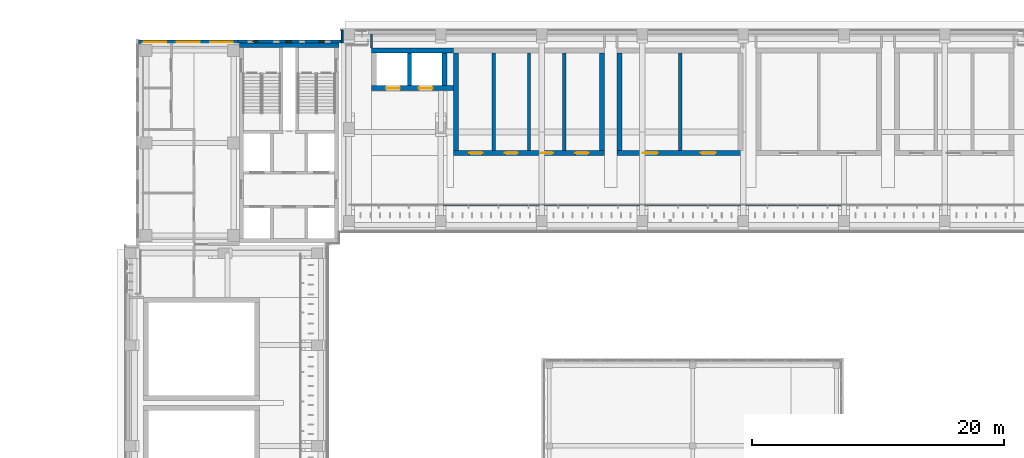
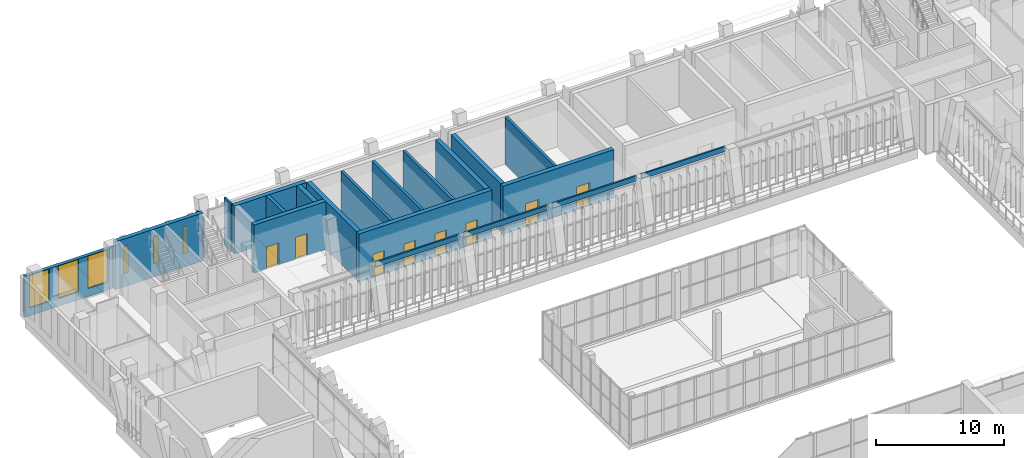
# One storey, part 66 of 92: 22 walls, 8 doors, 6 windows, 14 openings.
"""IFC4 building model written with IfcOpenShell, lengths in metres."""

from ifc_helpers import new_model, si_unit, direction, frame, frame_2d, origin, place, context, subcontext, project, spatial, rectangle, extrude, material, layer, layer_set, type_object, element, fill, save


model = new_model("IFC4")

# Units and contexts
model_context = context("Model", 3, precision=1e-05, world=origin(), true_north=direction((0.0, 1.0)))
body_context = subcontext(model_context, "Body", "Model", "MODEL_VIEW")
ifc_project = project(units=[si_unit("LENGTHUNIT", "METRE"), si_unit("AREAUNIT", "SQUARE_METRE"), si_unit("VOLUMEUNIT", "CUBIC_METRE"), si_unit("PLANEANGLEUNIT", "RADIAN"), si_unit("MASSUNIT", "GRAM", prefix="KILO")], contexts=[model_context])

# Site, building, storey
site_placement = place(None, origin())
site = spatial("IfcSite", under=ifc_project, at=site_placement, CompositionType="ELEMENT")
building_placement = place(site_placement, origin())
building = spatial("IfcBuilding", under=site, at=building_placement, Name="Lantern Court Media Centre", CompositionType="ELEMENT")
storey_placement = place(building_placement, frame((0.0, 0.0, 4.800048828125)))
storey = spatial("IfcBuildingStorey", under=building, at=storey_placement, Name="L01", CompositionType="ELEMENT", Elevation=4.800048828125)

# Walls
ifc_material_1 = material(Name="Acoustic gypsum board")
ifc_layer_1 = layer(ifc_material_1, 0.25)
ifc_layer_set_1 = layer_set([ifc_layer_1], Name="Acoustic gypsum board")
wall_type_1 = type_object("IfcWallType", Name="Acoustic partition 250", PredefinedType="PARTITIONING", material=ifc_layer_set_1)
for number, where, z_axis, x_axis, name in (
    (1, (36.199951171875, 103.455078125, 0.0), (0.0, 0.0, 1.0), (0.0, 1.0, 0.0), "L01 partition 010"),
    (2, (39.0, 103.455078125, 0.0), (0.0, 0.0, 1.0), (0.0, 1.0, 0.0), "L01 partition 011"),
    (3, (41.800048828125, 103.455078125, 0.0), (0.0, 0.0, 1.0), (0.0, 1.0, 0.0), "L01 partition 012"),
    (4, (51.0, 103.455078125, 0.0), (0.0, 0.0, 1.0), (0.0, 1.0, 0.0), "L01 partition 014"),
):
    element("IfcWall", number, at=place(storey_placement, frame(where, z_axis=z_axis, x_axis=x_axis)), inside=storey, type_object=wall_type_1, Name=name, PredefinedType="PARTITIONING", context=body_context, shape_type="SweptSolid", body=[
        extrude(rectangle(XDim=7.739990234375, YDim=0.25, at=frame_2d((3.8701171875, 0.0))), origin(), (0.0, 0.0, 1.0), 4.56005859375),
    ])
ifc_material_2 = material(Name="Insulated rendered blockwork", Category="masonry")
ifc_layer_2 = layer(ifc_material_2, 0.14990234375)
ifc_layer_set_2 = layer_set([ifc_layer_2], Name="Insulated rendered blockwork")
wall_type_2 = type_object("IfcWallType", Name="Head infill wall 150", PredefinedType="SOLIDWALL", material=ifc_layer_set_2)
for number, where, z_axis, x_axis, name in (
    (5, (32.199951171875, 99.14990234375, 4.099853515625), (0.0, 0.0, 1.0), (1.0, 0.0, 0.0), "Head infill wall N inner L01"),
    (6, (40.199951171875, 99.14990234375, 4.099853515625), (0.0, 0.0, 1.0), (1.0, 0.0, 0.0), "Head infill wall N inner L01"),
    (7, (48.199951171875, 99.14990234375, 4.099853515625), (0.0, 0.0, 1.0), (1.0, 0.0, 0.0), "Head infill wall N inner L01"),
    (8, (56.199951171875, 99.14990234375, 4.099853515625), (0.0, 0.0, 1.0), (1.0, 0.0, 0.0), "Head infill wall N inner L01"),
):
    element("IfcWall", number, at=place(storey_placement, frame(where, z_axis=z_axis, x_axis=x_axis)), inside=storey, type_object=wall_type_2, Name=name, PredefinedType="SOLIDWALL", context=body_context, shape_type="SweptSolid", body=[
        extrude(rectangle(XDim=7.60009765625, YDim=0.14990234375, at=frame_2d((3.800048828125, 0.0))), origin(), (0.0, 0.0, 1.0), 0.47998046875),
    ])

# Wall, openings, windows
ifc_material_3 = material(Name="Honed limestone cladding on blockwork", Category="masonry")
ifc_layer_3 = layer(ifc_material_3, 0.300048828125)
ifc_layer_set_3 = layer_set([ifc_layer_3], Name="Honed limestone cladding on blockwork")
wall_type_3 = type_object("IfcWallType", Name="Limestone block wall 300", PredefinedType="SOLIDWALL", material=ifc_layer_set_3)
wall_1_placement = place(storey_placement, frame((8.0, 112.070068359375, 0.0), z_axis=(0.0, 0.0, 1.0), x_axis=(1.0, 0.0, 0.0)))
wall_1 = element("IfcWall", 9, at=wall_1_placement, inside=storey, type_object=wall_type_3, Name="Limestone wall NW N L01", PredefinedType="SOLIDWALL", context=body_context, shape_type="SweptSolid", body=[
    extrude(rectangle(XDim=7.89990234375, YDim=0.300048828125, at=frame_2d((3.949951171875, 0.0))), origin(), (0.0, 0.0, 1.0), 3.89990234375),
])
opening_1_placement = place(wall_1_placement, frame((0.416748046875, 0.0, 0.75)))
opening_1 = element("IfcOpeningElement", 10, at=opening_1_placement, cuts=wall_1, Name="Opening WN-F", PredefinedType="OPENING", context=body_context, shape_type="SweptSolid", body=[
    extrude(rectangle(XDim=1.800048828125, YDim=3.10009765625, at=frame_2d((0.89990234375, 1.550048828125))), frame((0.0, 0.159912109375, 0.0), z_axis=(0.0, -1.0, 0.0), x_axis=(1.0, 0.0, 0.0)), (0.0, 0.0, 1.0), 0.320068359375),
])
opening_2_placement = place(wall_1_placement, frame((3.050048828125, 0.0, 0.75)))
opening_2 = element("IfcOpeningElement", 11, at=opening_2_placement, cuts=wall_1, Name="Opening WN-F", PredefinedType="OPENING", context=body_context, shape_type="SweptSolid", body=[
    extrude(rectangle(XDim=1.800048828125, YDim=3.10009765625, at=frame_2d((0.89990234375, 1.550048828125))), frame((0.0, 0.159912109375, 0.0), z_axis=(0.0, -1.0, 0.0), x_axis=(1.0, 0.0, 0.0)), (0.0, 0.0, 1.0), 0.320068359375),
])
opening_3_placement = place(wall_1_placement, frame((5.683349609375, 0.0, 0.75)))
opening_3 = element("IfcOpeningElement", 12, at=opening_3_placement, cuts=wall_1, Name="Opening WN-F", PredefinedType="OPENING", context=body_context, shape_type="SweptSolid", body=[
    extrude(rectangle(XDim=1.800048828125, YDim=3.10009765625, at=frame_2d((0.89990234375, 1.550048828125))), frame((0.0, 0.159912109375, 0.0), z_axis=(0.0, -1.0, 0.0), x_axis=(1.0, 0.0, 0.0)), (0.0, 0.0, 1.0), 0.320068359375),
])
ifc_material_4 = material(Name="Anodised aluminium and glass", Category="aluminium")
window_type_1 = type_object("IfcWindowType", Name="Foyer window 1800x3100", PartitioningType="SINGLE_PANEL", PredefinedType="WINDOW", material=ifc_material_4)
window_1_placement = place(opening_1_placement, origin())
window_1 = element("IfcWindow", 13, at=window_1_placement, inside=storey, type_object=window_type_1, Name="Window NW N L01", OverallHeight=3.10009765625, OverallWidth=1.800048828125, PartitioningType="SINGLE_PANEL", PredefinedType="WINDOW", context=body_context, shape_type="SweptSolid", body=[
    extrude(rectangle(XDim=1.800048828125, YDim=3.10009765625, at=frame_2d((0.89990234375, 1.550048828125))), frame((0.0, 0.030029296875, 0.0), z_axis=(0.0, -1.0, 0.0), x_axis=(1.0, 0.0, 0.0)), (0.0, 0.0, 1.0), 0.06005859375),
])
fill(opening_1, window_1)
window_2_placement = place(opening_2_placement, origin())
window_2 = element("IfcWindow", 14, at=window_2_placement, inside=storey, type_object=window_type_1, Name="Window NW N L01", OverallHeight=3.10009765625, OverallWidth=1.800048828125, PartitioningType="SINGLE_PANEL", PredefinedType="WINDOW", context=body_context, shape_type="SweptSolid", body=[
    extrude(rectangle(XDim=1.800048828125, YDim=3.10009765625, at=frame_2d((0.89990234375, 1.550048828125))), frame((0.0, 0.030029296875, 0.0), z_axis=(0.0, -1.0, 0.0), x_axis=(1.0, 0.0, 0.0)), (0.0, 0.0, 1.0), 0.06005859375),
])
fill(opening_2, window_2)
window_3_placement = place(opening_3_placement, origin())
window_3 = element("IfcWindow", 15, at=window_3_placement, inside=storey, type_object=window_type_1, Name="Window NW N L01", OverallHeight=3.10009765625, OverallWidth=1.800048828125, PartitioningType="SINGLE_PANEL", PredefinedType="WINDOW", context=body_context, shape_type="SweptSolid", body=[
    extrude(rectangle(XDim=1.800048828125, YDim=3.10009765625, at=frame_2d((0.89990234375, 1.550048828125))), frame((0.0, 0.030029296875, 0.0), z_axis=(0.0, -1.0, 0.0), x_axis=(1.0, 0.0, 0.0)), (0.0, 0.0, 1.0), 0.06005859375),
])
fill(opening_3, window_3)

# Wall
ifc_layer_4 = layer(ifc_material_3, 0.139892578125)
ifc_layer_set_4 = layer_set([ifc_layer_4], Name="Honed limestone cladding on blockwork")
wall_type_4 = type_object("IfcWallType", Name="Limestone closure wall 140", PredefinedType="SOLIDWALL", material=ifc_layer_set_4)
wall_2_placement = place(storey_placement, frame((24.169921875, 112.0, 0.0), z_axis=(0.0, 0.0, 1.0), x_axis=(0.0, 1.0, 0.0)))
element("IfcWall", 16, at=wall_2_placement, inside=storey, type_object=wall_type_4, Name="Limestone closure wall N-NW L01", PredefinedType="SOLIDWALL", context=body_context, shape_type="SweptSolid", body=[
    extrude(rectangle(XDim=1.0, YDim=0.139892578125, at=frame_2d((0.5, 0.0))), origin(), (0.0, 0.0, 1.0), 3.89990234375),
])

# Wall, openings, windows
ifc_material_5 = material(Name="Honed limestone cladding on blockwork, reduced to 220 where it passes the core wall", Category="masonry")
ifc_layer_5 = layer(ifc_material_5, 0.219970703125)
ifc_layer_set_5 = layer_set([ifc_layer_5], Name="Honed limestone cladding on blockwork, reduced to 220 where it passes the core wall")
wall_type_5 = type_object("IfcWallType", Name="Limestone skin wall 220", PredefinedType="SOLIDWALL", material=ifc_layer_set_5)
wall_3_placement = place(storey_placement, frame((15.89990234375, 112.110107421875, 0.0), z_axis=(0.0, 0.0, 1.0), x_axis=(1.0, 0.0, 0.0)))
wall_3 = element("IfcWall", 17, at=wall_3_placement, inside=storey, type_object=wall_type_5, Name="Limestone wall NW N L01", PredefinedType="SOLIDWALL", context=body_context, shape_type="SweptSolid", body=[
    extrude(rectangle(XDim=8.2001953125, YDim=0.219970703125, at=frame_2d((4.10009765625, 0.0))), origin(), (0.0, 0.0, 1.0), 3.89990234375),
])
opening_4_placement = place(wall_3_placement, frame((1.1083984375, 0.0, 0.89990234375)))
opening_4 = element("IfcOpeningElement", 18, at=opening_4_placement, cuts=wall_3, Name="Opening WN-S", PredefinedType="OPENING", context=body_context, shape_type="SweptSolid", body=[
    extrude(rectangle(XDim=0.449951171875, YDim=2.60009765625, at=frame_2d((0.22509765625, 1.300048828125))), frame((0.0, 0.119873046875, 0.0), z_axis=(0.0, -1.0, 0.0), x_axis=(1.0, 0.0, 0.0)), (0.0, 0.0, 1.0), 0.239990234375),
])
opening_5_placement = place(wall_3_placement, frame((3.77490234375, 0.0, 0.89990234375)))
opening_5 = element("IfcOpeningElement", 19, at=opening_5_placement, cuts=wall_3, Name="Opening WN-S", PredefinedType="OPENING", context=body_context, shape_type="SweptSolid", body=[
    extrude(rectangle(XDim=0.449951171875, YDim=2.60009765625, at=frame_2d((0.22509765625, 1.300048828125))), frame((0.0, 0.119873046875, 0.0), z_axis=(0.0, -1.0, 0.0), x_axis=(1.0, 0.0, 0.0)), (0.0, 0.0, 1.0), 0.239990234375),
])
opening_6_placement = place(wall_3_placement, frame((6.441650390625, 0.0, 0.89990234375)))
opening_6 = element("IfcOpeningElement", 20, at=opening_6_placement, cuts=wall_3, Name="Opening WN-S", PredefinedType="OPENING", context=body_context, shape_type="SweptSolid", body=[
    extrude(rectangle(XDim=0.449951171875, YDim=2.60009765625, at=frame_2d((0.22509765625, 1.300048828125))), frame((0.0, 0.119873046875, 0.0), z_axis=(0.0, -1.0, 0.0), x_axis=(1.0, 0.0, 0.0)), (0.0, 0.0, 1.0), 0.239990234375),
])
window_type_2 = type_object("IfcWindowType", Name="Stair slit window 450x2600", PartitioningType="SINGLE_PANEL", PredefinedType="WINDOW", material=ifc_material_4)
window_4_placement = place(opening_4_placement, origin())
window_4 = element("IfcWindow", 21, at=window_4_placement, inside=storey, type_object=window_type_2, Name="Window NW N L01", OverallHeight=2.60009765625, OverallWidth=0.449951171875, PartitioningType="SINGLE_PANEL", PredefinedType="WINDOW", context=body_context, shape_type="SweptSolid", body=[
    extrude(rectangle(XDim=0.449951171875, YDim=2.60009765625, at=frame_2d((0.22509765625, 1.300048828125))), frame((0.0, 0.030029296875, 0.0), z_axis=(0.0, -1.0, 0.0), x_axis=(1.0, 0.0, 0.0)), (0.0, 0.0, 1.0), 0.06005859375),
])
fill(opening_4, window_4)
window_5_placement = place(opening_5_placement, origin())
window_5 = element("IfcWindow", 22, at=window_5_placement, inside=storey, type_object=window_type_2, Name="Window NW N L01", OverallHeight=2.60009765625, OverallWidth=0.449951171875, PartitioningType="SINGLE_PANEL", PredefinedType="WINDOW", context=body_context, shape_type="SweptSolid", body=[
    extrude(rectangle(XDim=0.449951171875, YDim=2.60009765625, at=frame_2d((0.22509765625, 1.300048828125))), frame((0.0, 0.030029296875, 0.0), z_axis=(0.0, -1.0, 0.0), x_axis=(1.0, 0.0, 0.0)), (0.0, 0.0, 1.0), 0.06005859375),
])
fill(opening_5, window_5)
window_6_placement = place(opening_6_placement, origin())
window_6 = element("IfcWindow", 23, at=window_6_placement, inside=storey, type_object=window_type_2, Name="Window NW N L01", OverallHeight=2.60009765625, OverallWidth=0.449951171875, PartitioningType="SINGLE_PANEL", PredefinedType="WINDOW", context=body_context, shape_type="SweptSolid", body=[
    extrude(rectangle(XDim=0.449951171875, YDim=2.60009765625, at=frame_2d((0.22509765625, 1.300048828125))), frame((0.0, 0.030029296875, 0.0), z_axis=(0.0, -1.0, 0.0), x_axis=(1.0, 0.0, 0.0)), (0.0, 0.0, 1.0), 0.06005859375),
])
fill(opening_6, window_6)

# Walls
ifc_material_6 = material(Name="Concrete C40", Category="concrete")
ifc_layer_6 = layer(ifc_material_6, 0.35009765625)
ifc_layer_set_6 = layer_set([ifc_layer_6], Name="Concrete C40")
wall_type_6 = type_object("IfcWallType", Name="RC CORE WALL 350", PredefinedType="SHEAR", material=ifc_layer_set_6)
wall_4_placement = place(storey_placement, frame((16.0, 111.824951171875, 0.0), z_axis=(0.0, 0.0, 1.0), x_axis=(1.0, 0.0, 0.0)))
element("IfcWall", 24, at=wall_4_placement, inside=storey, type_object=wall_type_6, Name="WC-NW-L01-N", PredefinedType="SHEAR", context=body_context, shape_type="SweptSolid", body=[
    extrude(rectangle(XDim=7.89990234375, YDim=0.35009765625, at=frame_2d((3.949951171875, 0.0))), origin(), (0.0, 0.0, 1.0), 4.579833984375),
])
ifc_layer_7 = layer(ifc_material_6, 0.300048828125)
ifc_layer_set_7 = layer_set([ifc_layer_7], Name="Concrete C40")
wall_type_7 = type_object("IfcWallType", Name="RC SHEAR WALL 300", PredefinedType="SHEAR", material=ifc_layer_set_7)
wall_5_placement = place(storey_placement, frame((29.5, 108.60009765625, 0.0), z_axis=(0.0, 0.0, 1.0), x_axis=(0.0, 1.0, 0.0)))
element("IfcWall", 25, at=wall_5_placement, inside=storey, type_object=wall_type_7, Name="WB-N-LC-L01-D", PredefinedType="SHEAR", context=body_context, shape_type="SweptSolid", body=[
    extrude(rectangle(XDim=2.599853515625, YDim=0.300048828125, at=frame_2d((1.2998046875, 0.0))), origin(), (0.0, 0.0, 1.0), 4.579833984375),
])

# Wall, openings, doors
ifc_layer_8 = layer(ifc_material_6, 0.39990234375)
ifc_layer_set_8 = layer_set([ifc_layer_8], Name="Concrete C40")
wall_type_8 = type_object("IfcWallType", Name="RC SHEAR WALL 400", PredefinedType="SHEAR", material=ifc_layer_set_8)
wall_6_placement = place(storey_placement, frame((26.5, 108.39990234375, 0.0), z_axis=(0.0, 0.0, 1.0), x_axis=(1.0, 0.0, 0.0)))
wall_6 = element("IfcWall", 26, at=wall_6_placement, inside=storey, type_object=wall_type_8, Name="WB-N-LC-L01-S", PredefinedType="SHEAR", context=body_context, shape_type="SweptSolid", body=[
    extrude(rectangle(XDim=6.5, YDim=0.39990234375, at=frame_2d((3.25, 0.0))), origin(), (0.0, 0.0, 1.0), 4.579833984375),
])
opening_7_placement = place(wall_6_placement, frame((1.14990234375, 0.0, 0.0)))
opening_7 = element("IfcOpeningElement", 27, at=opening_7_placement, cuts=wall_6, Name="Opening LD-N-LCP-L01", PredefinedType="OPENING", context=body_context, shape_type="SweptSolid", body=[
    extrude(rectangle(XDim=1.10009765625, YDim=2.10009765625, at=frame_2d((0.550048828125, 1.050048828125))), frame((0.0, 0.2099609375, 0.0), z_axis=(0.0, -1.0, 0.0), x_axis=(1.0, 0.0, 0.0)), (0.0, 0.0, 1.0), 0.419921875),
])
opening_8_placement = place(wall_6_placement, frame((3.75, 0.0, 0.0)))
opening_8 = element("IfcOpeningElement", 28, at=opening_8_placement, cuts=wall_6, Name="Opening LD-N-LCS-L01", PredefinedType="OPENING", context=body_context, shape_type="SweptSolid", body=[
    extrude(rectangle(XDim=1.10009765625, YDim=2.10009765625, at=frame_2d((0.550048828125, 1.050048828125))), frame((0.0, 0.2099609375, 0.0), z_axis=(0.0, -1.0, 0.0), x_axis=(1.0, 0.0, 0.0)), (0.0, 0.0, 1.0), 0.419921875),
])
ifc_material_7 = material(Name="Steel door leaf", Category="steel")
door_type_1 = type_object("IfcDoorType", Name="Lift landing door 1100x2100", OperationType="DOUBLE_DOOR_SLIDING", PredefinedType="DOOR", material=ifc_material_7)
door_1_placement = place(opening_7_placement, frame((1.10009765625, 0.0, 0.0), z_axis=(0.0, 0.0, 1.0), x_axis=(-1.0, 0.0, 0.0)))
door_1 = element("IfcDoor", 29, at=door_1_placement, inside=storey, type_object=door_type_1, Name="L01 N-LC passenger lift landing door", OperationType="DOUBLE_DOOR_SLIDING", OverallHeight=2.10009765625, OverallWidth=1.10009765625, PredefinedType="DOOR", context=body_context, shape_type="SweptSolid", body=[
    extrude(rectangle(XDim=1.10009765625, YDim=2.10009765625, at=frame_2d((0.550048828125, 1.050048828125))), frame((0.0, 0.02490234375, 0.0), z_axis=(0.0, -1.0, 0.0), x_axis=(1.0, 0.0, 0.0)), (0.0, 0.0, 1.0), 0.050048828125),
])
fill(opening_7, door_1)
door_2_placement = place(opening_8_placement, frame((1.10009765625, 0.0, 0.0), z_axis=(0.0, 0.0, 1.0), x_axis=(-1.0, 0.0, 0.0)))
door_2 = element("IfcDoor", 30, at=door_2_placement, inside=storey, type_object=door_type_1, Name="L01 N-LC service lift landing door", OperationType="DOUBLE_DOOR_SLIDING", OverallHeight=2.10009765625, OverallWidth=1.10009765625, PredefinedType="DOOR", context=body_context, shape_type="SweptSolid", body=[
    extrude(rectangle(XDim=1.10009765625, YDim=2.10009765625, at=frame_2d((0.550048828125, 1.050048828125))), frame((0.0, 0.02490234375, 0.0), z_axis=(0.0, -1.0, 0.0), x_axis=(1.0, 0.0, 0.0)), (0.0, 0.0, 1.0), 0.050048828125),
])
fill(opening_8, door_2)

# Walls
wall_7_placement = place(storey_placement, frame((26.5, 111.39990234375, 0.0), z_axis=(0.0, 0.0, 1.0), x_axis=(1.0, 0.0, 0.0)))
element("IfcWall", 31, at=wall_7_placement, inside=storey, type_object=wall_type_8, Name="WB-N-LC-L01-N", PredefinedType="SHEAR", context=body_context, shape_type="SweptSolid", body=[
    extrude(rectangle(XDim=6.5, YDim=0.39990234375, at=frame_2d((3.25, 0.0))), origin(), (0.0, 0.0, 1.0), 4.579833984375),
])
wall_8_placement = place(storey_placement, frame((32.300048828125, 108.60009765625, 0.0), z_axis=(0.0, 0.0, 1.0), x_axis=(0.0, 1.0, 0.0)))
element("IfcWall", 32, at=wall_8_placement, inside=storey, type_object=wall_type_8, Name="WB-N-LC-L01-E", PredefinedType="SHEAR", context=body_context, shape_type="SweptSolid", body=[
    extrude(rectangle(XDim=2.599853515625, YDim=0.39990234375, at=frame_2d((1.2998046875, 0.0))), origin(), (0.0, 0.0, 1.0), 4.579833984375),
])

# Wall, openings, doors
wall_9_placement = place(storey_placement, frame((33.0, 103.25, 0.0), z_axis=(0.0, 0.0, 1.0), x_axis=(1.0, 0.0, 0.0)))
wall_9 = element("IfcWall", 33, at=wall_9_placement, inside=storey, type_object=wall_type_8, Name="WB-N-EDA-L01-S", PredefinedType="SHEAR", context=body_context, shape_type="SweptSolid", body=[
    extrude(rectangle(XDim=12.0, YDim=0.39990234375, at=frame_2d((6.0, 0.0))), origin(), (0.0, 0.0, 1.0), 4.579833984375),
])
opening_9_placement = place(wall_9_placement, frame((1.272705078125, 0.0, 0.0)))
opening_9 = element("IfcOpeningElement", 34, at=opening_9_placement, cuts=wall_9, Name="Opening L01-003", PredefinedType="OPENING", context=body_context, shape_type="SweptSolid", body=[
    extrude(rectangle(XDim=1.050048828125, YDim=2.199951171875, at=frame_2d((0.52490234375, 1.10009765625))), frame((0.0, 0.2099609375, 0.0), z_axis=(0.0, -1.0, 0.0), x_axis=(1.0, 0.0, 0.0)), (0.0, 0.0, 1.0), 0.419921875),
])
opening_10_placement = place(wall_9_placement, frame((4.07275390625, 0.0, 0.0)))
opening_10 = element("IfcOpeningElement", 35, at=opening_10_placement, cuts=wall_9, Name="Opening L01-004", PredefinedType="OPENING", context=body_context, shape_type="SweptSolid", body=[
    extrude(rectangle(XDim=1.050048828125, YDim=2.199951171875, at=frame_2d((0.52490234375, 1.10009765625))), frame((0.0, 0.2099609375, 0.0), z_axis=(0.0, -1.0, 0.0), x_axis=(1.0, 0.0, 0.0)), (0.0, 0.0, 1.0), 0.419921875),
])
opening_11_placement = place(wall_9_placement, frame((6.872802734375, 0.0, 0.0)))
opening_11 = element("IfcOpeningElement", 36, at=opening_11_placement, cuts=wall_9, Name="Opening L01-005", PredefinedType="OPENING", context=body_context, shape_type="SweptSolid", body=[
    extrude(rectangle(XDim=1.050048828125, YDim=2.199951171875, at=frame_2d((0.52490234375, 1.10009765625))), frame((0.0, 0.2099609375, 0.0), z_axis=(0.0, -1.0, 0.0), x_axis=(1.0, 0.0, 0.0)), (0.0, 0.0, 1.0), 0.419921875),
])
opening_12_placement = place(wall_9_placement, frame((9.672607421875, 0.0, 0.0)))
opening_12 = element("IfcOpeningElement", 37, at=opening_12_placement, cuts=wall_9, Name="Opening L01-006", PredefinedType="OPENING", context=body_context, shape_type="SweptSolid", body=[
    extrude(rectangle(XDim=1.050048828125, YDim=2.199951171875, at=frame_2d((0.52490234375, 1.10009765625))), frame((0.0, 0.2099609375, 0.0), z_axis=(0.0, -1.0, 0.0), x_axis=(1.0, 0.0, 0.0)), (0.0, 0.0, 1.0), 0.419921875),
])
ifc_material_8 = material(Name="Acoustic timber door leaf", Category="wood")
door_type_2 = type_object("IfcDoorType", Name="Edit suite sound-lock door 1050x2200", OperationType="NOTDEFINED", PredefinedType="DOOR", material=ifc_material_8)
door_3_placement = place(opening_9_placement, origin())
door_3 = element("IfcDoor", 38, at=door_3_placement, inside=storey, type_object=door_type_2, Name="L01 Editing Suite 01 door", OperationType="SINGLE_SWING_RIGHT", OverallHeight=2.199951171875, OverallWidth=1.050048828125, PredefinedType="DOOR", context=body_context, shape_type="SweptSolid", body=[
    extrude(rectangle(XDim=1.050048828125, YDim=2.199951171875, at=frame_2d((0.52490234375, 1.10009765625))), frame((0.0, 0.02490234375, 0.0), z_axis=(0.0, -1.0, 0.0), x_axis=(1.0, 0.0, 0.0)), (0.0, 0.0, 1.0), 0.050048828125),
])
fill(opening_9, door_3)
door_4_placement = place(opening_10_placement, origin())
door_4 = element("IfcDoor", 39, at=door_4_placement, inside=storey, type_object=door_type_2, Name="L01 Editing Suite 02 door", OperationType="SINGLE_SWING_LEFT", OverallHeight=2.199951171875, OverallWidth=1.050048828125, PredefinedType="DOOR", context=body_context, shape_type="SweptSolid", body=[
    extrude(rectangle(XDim=1.050048828125, YDim=2.199951171875, at=frame_2d((0.52490234375, 1.10009765625))), frame((0.0, 0.02490234375, 0.0), z_axis=(0.0, -1.0, 0.0), x_axis=(1.0, 0.0, 0.0)), (0.0, 0.0, 1.0), 0.050048828125),
])
fill(opening_10, door_4)
door_5_placement = place(opening_11_placement, origin())
door_5 = element("IfcDoor", 40, at=door_5_placement, inside=storey, type_object=door_type_2, Name="L01 Editing Suite 03 door", OperationType="SINGLE_SWING_RIGHT", OverallHeight=2.199951171875, OverallWidth=1.050048828125, PredefinedType="DOOR", context=body_context, shape_type="SweptSolid", body=[
    extrude(rectangle(XDim=1.050048828125, YDim=2.199951171875, at=frame_2d((0.52490234375, 1.10009765625))), frame((0.0, 0.02490234375, 0.0), z_axis=(0.0, -1.0, 0.0), x_axis=(1.0, 0.0, 0.0)), (0.0, 0.0, 1.0), 0.050048828125),
])
fill(opening_11, door_5)
door_6_placement = place(opening_12_placement, origin())
door_6 = element("IfcDoor", 41, at=door_6_placement, inside=storey, type_object=door_type_2, Name="L01 Editing Suite 04 door", OperationType="SINGLE_SWING_LEFT", OverallHeight=2.199951171875, OverallWidth=1.050048828125, PredefinedType="DOOR", context=body_context, shape_type="SweptSolid", body=[
    extrude(rectangle(XDim=1.050048828125, YDim=2.199951171875, at=frame_2d((0.52490234375, 1.10009765625))), frame((0.0, 0.02490234375, 0.0), z_axis=(0.0, -1.0, 0.0), x_axis=(1.0, 0.0, 0.0)), (0.0, 0.0, 1.0), 0.050048828125),
])
fill(opening_12, door_6)

# Walls
for number, where, z_axis, x_axis, name in (
    (42, (33.199951171875, 103.449951171875, 0.0), (0.0, 0.0, 1.0), (0.0, 1.0, 0.0), "WB-N-EDA-L01-W"),
    (43, (44.800048828125, 103.449951171875, 0.0), (0.0, 0.0, 1.0), (0.0, 1.0, 0.0), "WB-N-EDA-L01-E"),
):
    element("IfcWall", number, at=place(storey_placement, frame(where, z_axis=z_axis, x_axis=x_axis)), inside=storey, type_object=wall_type_8, Name=name, PredefinedType="SHEAR", context=body_context, shape_type="SweptSolid", body=[
        extrude(rectangle(XDim=7.75, YDim=0.39990234375, at=frame_2d((3.875, 0.0))), origin(), (0.0, 0.0, 1.0), 4.579833984375),
    ])

# Wall, openings, doors
wall_10_placement = place(storey_placement, frame((46.0, 103.25, 0.0), z_axis=(0.0, 0.0, 1.0), x_axis=(1.0, 0.0, 0.0)))
wall_10 = element("IfcWall", 44, at=wall_10_placement, inside=storey, type_object=wall_type_8, Name="WB-N-MIX-L01-S", PredefinedType="SHEAR", context=body_context, shape_type="SweptSolid", body=[
    extrude(rectangle(XDim=10.0, YDim=0.39990234375, at=frame_2d((5.0, 0.0))), origin(), (0.0, 0.0, 1.0), 4.579833984375),
])
opening_13_placement = place(wall_10_placement, frame((2.02490234375, 0.0, 0.0)))
opening_13 = element("IfcOpeningElement", 45, at=opening_13_placement, cuts=wall_10, Name="Opening L01-007", PredefinedType="OPENING", context=body_context, shape_type="SweptSolid", body=[
    extrude(rectangle(XDim=1.199951171875, YDim=2.199951171875, at=frame_2d((0.60009765625, 1.10009765625))), frame((0.0, 0.2099609375, 0.0), z_axis=(0.0, -1.0, 0.0), x_axis=(1.0, 0.0, 0.0)), (0.0, 0.0, 1.0), 0.419921875),
])
opening_14_placement = place(wall_10_placement, frame((6.625, 0.0, 0.0)))
opening_14 = element("IfcOpeningElement", 46, at=opening_14_placement, cuts=wall_10, Name="Opening L01-008", PredefinedType="OPENING", context=body_context, shape_type="SweptSolid", body=[
    extrude(rectangle(XDim=1.199951171875, YDim=2.199951171875, at=frame_2d((0.60009765625, 1.10009765625))), frame((0.0, 0.2099609375, 0.0), z_axis=(0.0, -1.0, 0.0), x_axis=(1.0, 0.0, 0.0)), (0.0, 0.0, 1.0), 0.419921875),
])
door_type_3 = type_object("IfcDoorType", Name="Edit suite sound-lock door 1200x2200", OperationType="NOTDEFINED", PredefinedType="DOOR", material=ifc_material_8)
door_7_placement = place(opening_13_placement, origin())
door_7 = element("IfcDoor", 47, at=door_7_placement, inside=storey, type_object=door_type_3, Name="L01 Sound Mixing Suite 01 door", OperationType="SINGLE_SWING_RIGHT", OverallHeight=2.199951171875, OverallWidth=1.199951171875, PredefinedType="DOOR", context=body_context, shape_type="SweptSolid", body=[
    extrude(rectangle(XDim=1.199951171875, YDim=2.199951171875, at=frame_2d((0.60009765625, 1.10009765625))), frame((0.0, 0.02490234375, 0.0), z_axis=(0.0, -1.0, 0.0), x_axis=(1.0, 0.0, 0.0)), (0.0, 0.0, 1.0), 0.050048828125),
])
fill(opening_13, door_7)
door_8_placement = place(opening_14_placement, origin())
door_8 = element("IfcDoor", 48, at=door_8_placement, inside=storey, type_object=door_type_3, Name="L01 Colour Grading Suite 01 door", OperationType="SINGLE_SWING_LEFT", OverallHeight=2.199951171875, OverallWidth=1.199951171875, PredefinedType="DOOR", context=body_context, shape_type="SweptSolid", body=[
    extrude(rectangle(XDim=1.199951171875, YDim=2.199951171875, at=frame_2d((0.60009765625, 1.10009765625))), frame((0.0, 0.02490234375, 0.0), z_axis=(0.0, -1.0, 0.0), x_axis=(1.0, 0.0, 0.0)), (0.0, 0.0, 1.0), 0.050048828125),
])
fill(opening_14, door_8)

# Walls
wall_11_placement = place(storey_placement, frame((46.199951171875, 103.449951171875, 0.0), z_axis=(0.0, 0.0, 1.0), x_axis=(0.0, 1.0, 0.0)))
element("IfcWall", 49, at=wall_11_placement, inside=storey, type_object=wall_type_8, Name="WB-N-MIX-L01-W", PredefinedType="SHEAR", context=body_context, shape_type="SweptSolid", body=[
    extrude(rectangle(XDim=7.75, YDim=0.39990234375, at=frame_2d((3.875, 0.0))), origin(), (0.0, 0.0, 1.0), 4.579833984375),
])
ifc_material_9 = material(Name="Fire-rated gypsum board")
ifc_layer_9 = layer(ifc_material_9, 0.159912109375)
ifc_layer_set_9 = layer_set([ifc_layer_9], Name="Fire-rated gypsum board")
wall_type_9 = type_object("IfcWallType", Name="Riser shaft liner wall 160", PredefinedType="PARTITIONING", material=ifc_layer_set_9)
wall_12_placement = place(storey_placement, frame((26.5, 111.60498046875, 0.0), z_axis=(0.0, 0.0, 1.0), x_axis=(0.0, 1.0, 0.0)))
element("IfcWall", 50, at=wall_12_placement, inside=storey, type_object=wall_type_9, Name="L01 partition 001", PredefinedType="PARTITIONING", context=body_context, shape_type="SweptSolid", body=[
    extrude(rectangle(XDim=1.090087890625, YDim=0.159912109375, at=frame_2d((0.544921875, 0.0))), origin(), (0.0, 0.0, 1.0), 4.56005859375),
])

save(model, "model.ifc")
